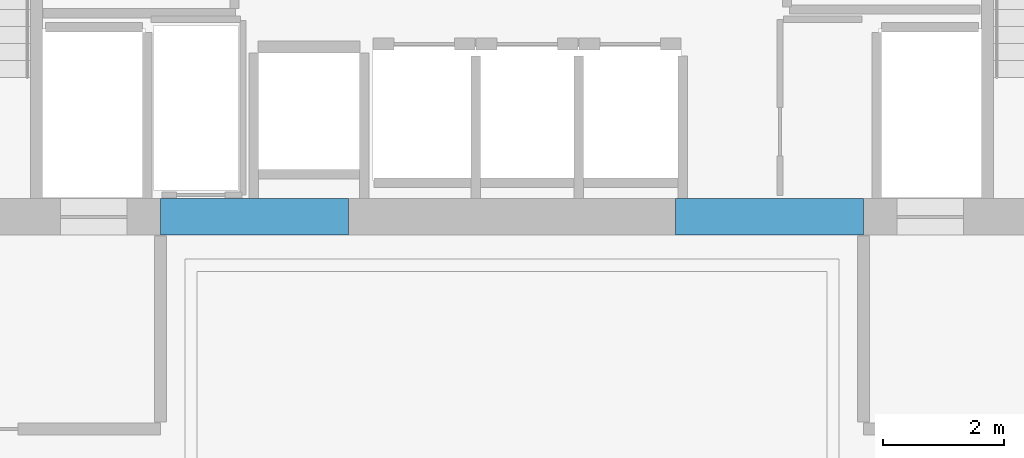
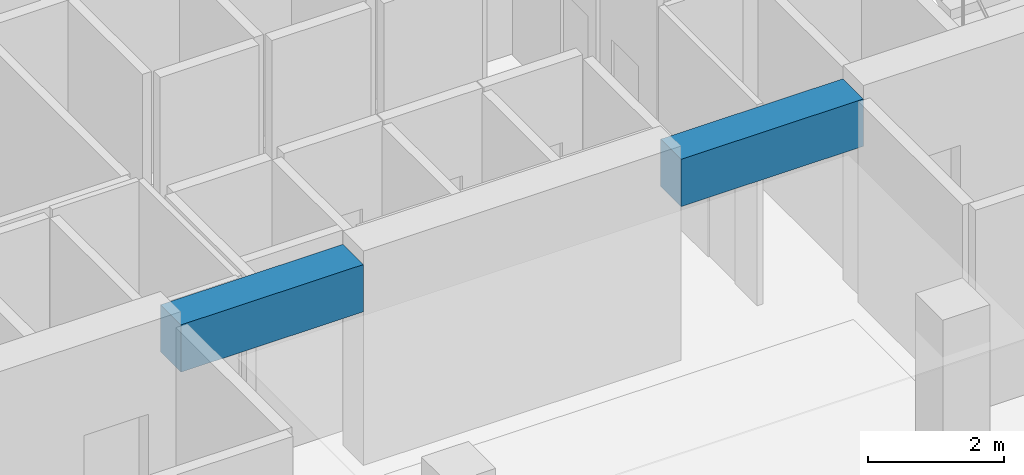
# One storey, part 13 of 21: 2 beams.
"""IFC4 building model written with IfcOpenShell, lengths in metres."""

from ifc_helpers import new_model, si_unit, direction, frame, origin, origin_2d, place, context, subcontext, project, spatial, rectangle, extrude, material, material_profile, profile_set, type_object, element, save


model = new_model("IFC4")

# Units and contexts
model_context = context("Model", 3, precision=1e-05, world=origin(), true_north=direction((0.0, 1.0)))
body_context = subcontext(model_context, "Body", "Model", "MODEL_VIEW")
ifc_project = project(units=[si_unit("LENGTHUNIT", "METRE"), si_unit("AREAUNIT", "SQUARE_METRE"), si_unit("VOLUMEUNIT", "CUBIC_METRE"), si_unit("PLANEANGLEUNIT", "RADIAN"), si_unit("MASSUNIT", "GRAM", prefix="KILO")], contexts=[model_context])

# Site, building, storey
site_placement = place(None, origin())
site = spatial("IfcSite", under=ifc_project, at=site_placement, CompositionType="ELEMENT")
building_placement = place(site_placement, origin())
building = spatial("IfcBuilding", under=site, at=building_placement, Name="Maruvema Waterfront Hotel and Observation Tower", CompositionType="ELEMENT")
storey_placement = place(building_placement, frame((0.0, 0.0, 322.0)))
storey = spatial("IfcBuildingStorey", under=building, at=storey_placement, Name="L79", CompositionType="ELEMENT", Elevation=322.0)

# Beams
ifc_material = material(Name="Concrete C60/75", Category="concrete")
ifc_material_profile = material_profile(ifc_material, rectangle(XDim=0.60009765625, YDim=0.85009765625, at=origin_2d()), Name="CB600x850")
ifc_profile_set = profile_set([ifc_material_profile], Name="Concrete C60/75")
beam_type = type_object("IfcBeamType", Name="Core Coupling Lintel Beam CB600x850", PredefinedType="LINTEL", material=ifc_profile_set)
for number, where, z_axis, x_axis, name in (
    (1, (32.0, 41.699951171875, 3.18505859375), (1.0, 0.0, 0.0), (0.0, 1.0, 0.0), "L79 Core Coupling Lintel Beam West"),
    (2, (40.5, 41.699951171875, 3.18505859375), (1.0, 0.0, 0.0), (0.0, 1.0, 0.0), "L79 Core Coupling Lintel Beam East"),
):
    element("IfcBeam", number, at=place(storey_placement, frame(where, z_axis=z_axis, x_axis=x_axis)), inside=storey, type_object=beam_type, Name=name, PredefinedType="LINTEL", context=body_context, shape_type="SweptSolid", body=[
        extrude(rectangle(XDim=0.60009765625, YDim=0.85009765625, at=origin_2d()), origin(), (0.0, 0.0, 1.0), 3.10009765625),
    ])

save(model, "model.ifc")
